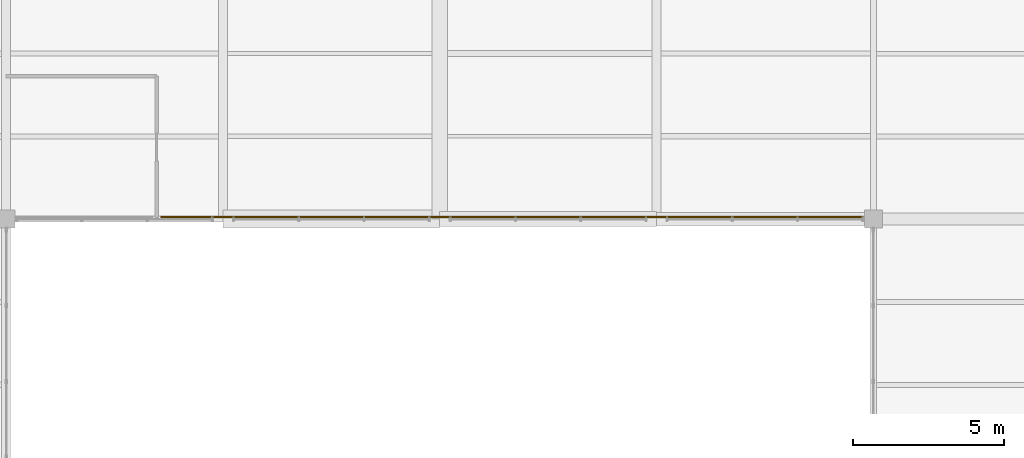
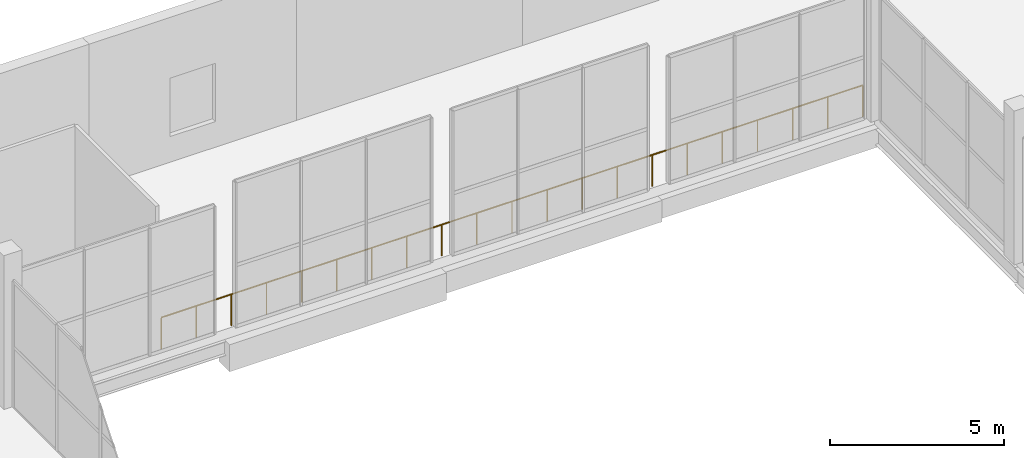
# One storey, part 141 of 141: 1 railing.
"""IFC4 building model written with IfcOpenShell, lengths in metres."""

from ifc_helpers import new_model, si_unit, direction, frame, origin, origin_2d, place, context, subcontext, project, spatial, circle, extrude, material, type_object, element, save


model = new_model("IFC4")

# Units and contexts
model_context = context("Model", 3, precision=1e-05, world=origin(), true_north=direction((0.0, 1.0)))
body_context = subcontext(model_context, "Body", "Model", "MODEL_VIEW")
ifc_project = project(units=[si_unit("LENGTHUNIT", "METRE"), si_unit("AREAUNIT", "SQUARE_METRE"), si_unit("VOLUMEUNIT", "CUBIC_METRE"), si_unit("PLANEANGLEUNIT", "RADIAN"), si_unit("MASSUNIT", "GRAM", prefix="KILO")], contexts=[model_context])

# Site, building, storey
site_placement = place(None, origin())
site = spatial("IfcSite", under=ifc_project, at=site_placement, CompositionType="ELEMENT")
building_placement = place(site_placement, origin())
building = spatial("IfcBuilding", under=site, at=building_placement, Name="Sundgate Opera House", CompositionType="ELEMENT")
storey_placement = place(building_placement, frame((0.0, 0.0, 11.39990234375)))
storey = spatial("IfcBuildingStorey", under=building, at=storey_placement, Name="L02", CompositionType="ELEMENT", Elevation=11.39990234375)

# Railing
ifc_material = material(Name="Patinated bronze forja metalwork", Category="steel")
railing_type = type_object("IfcRailingType", Name="RL-FORJA-BAL-1100", PredefinedType="BALUSTRADE", material=ifc_material)
railing_placement = place(storey_placement, frame((129.35009765625, 111.830078125, 0.0)))
element("IfcRailing", 1, at=railing_placement, inside=storey, type_object=railing_type, Name="L02 Conservatory Court Edge Balustrade RL0005", PredefinedType="BALUSTRADE", context=body_context, shape_type="SweptSolid", body=[
    extrude(circle(Radius=0.02392578125, at=origin_2d()), frame((0.0, 0.0, 1.09619140625), z_axis=(1.0, 0.0, 0.0), x_axis=(0.0, 1.0, 0.0)), (0.0, 0.0, 1.0), 23.2998046875),
    extrude(circle(Radius=0.02099609375, at=origin_2d()), origin(), (0.0, 0.0, 1.0), 1.072021484375),
    extrude(circle(Radius=0.02099609375, at=origin_2d()), frame((1.1650390625, 0.0, 0.0)), (0.0, 0.0, 1.0), 1.072021484375),
    extrude(circle(Radius=0.02099609375, at=origin_2d()), frame((2.330078125, 0.0, 0.0)), (0.0, 0.0, 1.0), 1.072021484375),
    extrude(circle(Radius=0.02099609375, at=origin_2d()), frame((3.494873046875, 0.0, 0.0)), (0.0, 0.0, 1.0), 1.072021484375),
    extrude(circle(Radius=0.02099609375, at=origin_2d()), frame((4.659912109375, 0.0, 0.0)), (0.0, 0.0, 1.0), 1.072021484375),
    extrude(circle(Radius=0.02099609375, at=origin_2d()), frame((5.824951171875, 0.0, 0.0)), (0.0, 0.0, 1.0), 1.072021484375),
    extrude(circle(Radius=0.02099609375, at=origin_2d()), frame((6.989990234375, 0.0, 0.0)), (0.0, 0.0, 1.0), 1.072021484375),
    extrude(circle(Radius=0.02099609375, at=origin_2d()), frame((8.155029296875, 0.0, 0.0)), (0.0, 0.0, 1.0), 1.072021484375),
    extrude(circle(Radius=0.02099609375, at=origin_2d()), frame((9.31982421875, 0.0, 0.0)), (0.0, 0.0, 1.0), 1.072021484375),
    extrude(circle(Radius=0.02099609375, at=origin_2d()), frame((10.48486328125, 0.0, 0.0)), (0.0, 0.0, 1.0), 1.072021484375),
    extrude(circle(Radius=0.02099609375, at=origin_2d()), frame((11.64990234375, 0.0, 0.0)), (0.0, 0.0, 1.0), 1.072021484375),
    extrude(circle(Radius=0.02099609375, at=origin_2d()), frame((12.81494140625, 0.0, 0.0)), (0.0, 0.0, 1.0), 1.072021484375),
    extrude(circle(Radius=0.02099609375, at=origin_2d()), frame((13.97998046875, 0.0, 0.0)), (0.0, 0.0, 1.0), 1.072021484375),
    extrude(circle(Radius=0.02099609375, at=origin_2d()), frame((15.144775390625, 0.0, 0.0)), (0.0, 0.0, 1.0), 1.072021484375),
    extrude(circle(Radius=0.02099609375, at=origin_2d()), frame((16.309814453125, 0.0, 0.0)), (0.0, 0.0, 1.0), 1.072021484375),
    extrude(circle(Radius=0.02099609375, at=origin_2d()), frame((17.474853515625, 0.0, 0.0)), (0.0, 0.0, 1.0), 1.072021484375),
    extrude(circle(Radius=0.02099609375, at=origin_2d()), frame((18.639892578125, 0.0, 0.0)), (0.0, 0.0, 1.0), 1.072021484375),
    extrude(circle(Radius=0.02099609375, at=origin_2d()), frame((19.804931640625, 0.0, 0.0)), (0.0, 0.0, 1.0), 1.072021484375),
    extrude(circle(Radius=0.02099609375, at=origin_2d()), frame((20.9697265625, 0.0, 0.0)), (0.0, 0.0, 1.0), 1.072021484375),
    extrude(circle(Radius=0.02099609375, at=origin_2d()), frame((22.134765625, 0.0, 0.0)), (0.0, 0.0, 1.0), 1.072021484375),
    extrude(circle(Radius=0.02099609375, at=origin_2d()), frame((23.2998046875, 0.0, 0.0)), (0.0, 0.0, 1.0), 1.072021484375),
])

save(model, "model.ifc")
